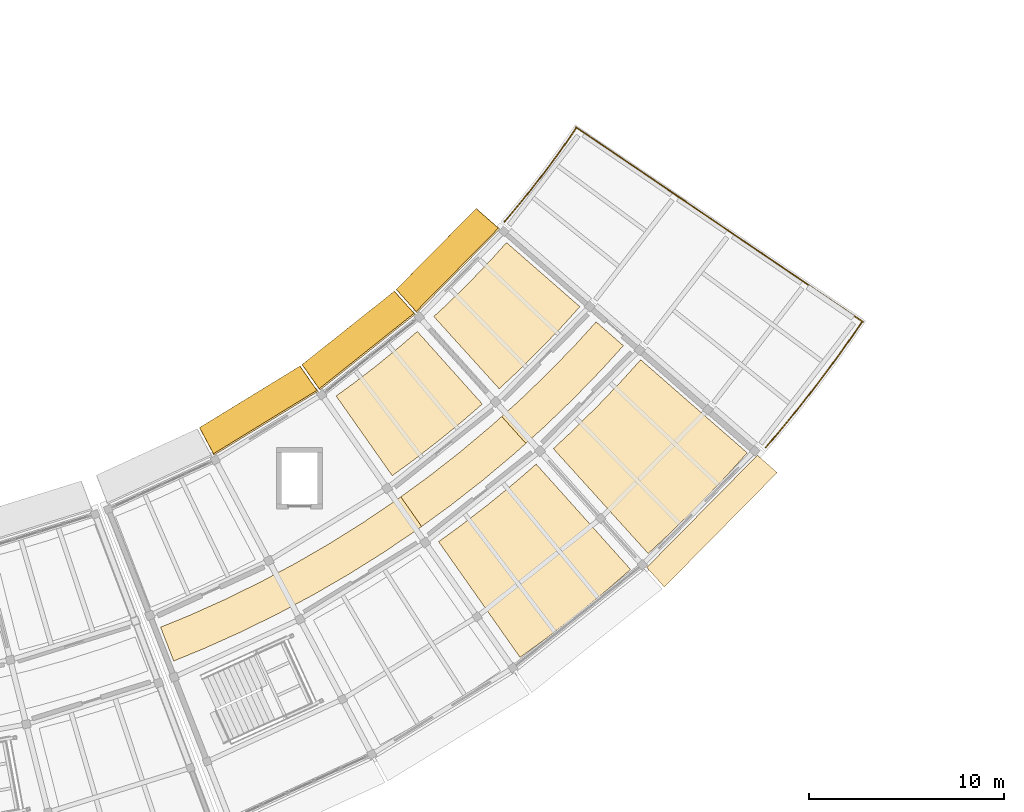
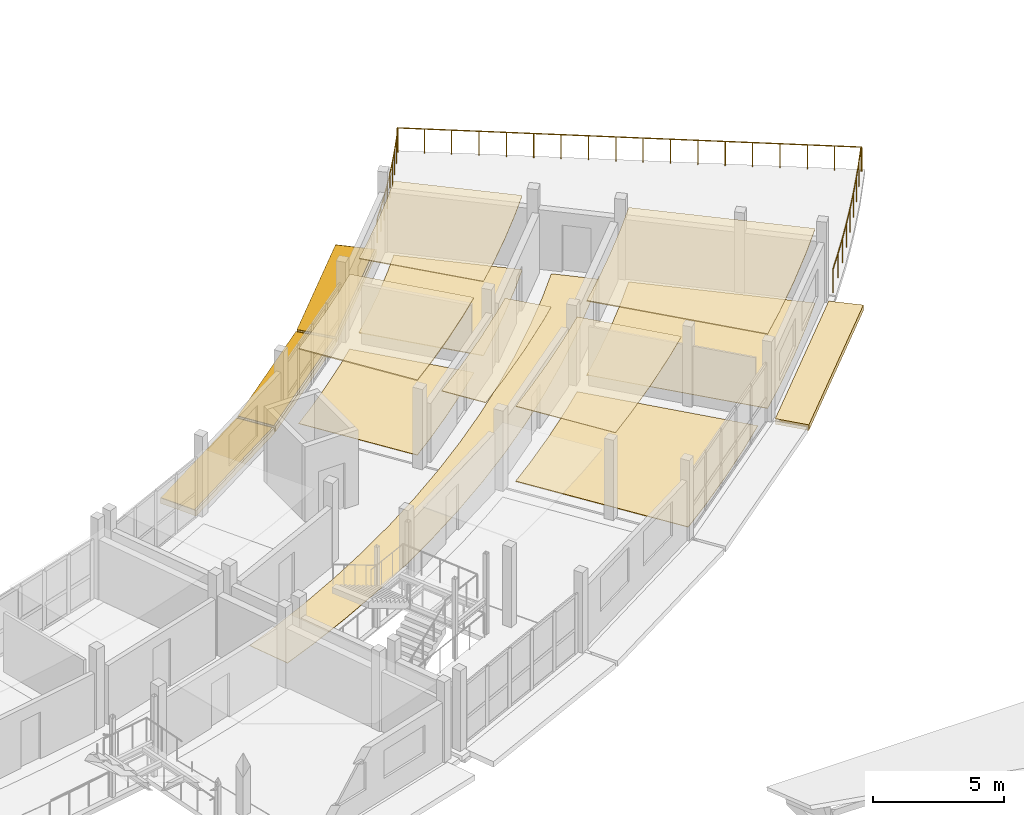
# One storey, part 66 of 66: 14 coverings, 3 railings, 3 shading devices.
"""IFC4 building model written with IfcOpenShell, lengths in metres."""

import ifcopenshell
import ifcopenshell.guid

model = None  # the IFC model being written
_history = None  # IfcOwnerHistory: only IFC2X3 demands one
_inside = {}  # id of a spatial element -> (the spatial element, [elements in it])
_under = {}  # id of a project, library or spatial element -> (it, [spatial elements below it])
_declared = {}  # id of a project -> (the project, [libraries it declares])
_typed = {}  # id of a type object -> (the type object, [elements of that type])
_made_of = {}  # id of a material, layer set ... -> (it, [elements and type objects made of it])


def new_model(schema):
    """Start an empty IFC model of exactly this schema.

    Asked for "IFC4X3", IfcOpenShell would pick the latest addendum, in which some entities
    have other attributes; the version numbers below select the first issue.
    IFC2X3 requires an IfcOwnerHistory on every rooted entity: one is made here for all.
    """
    global model, _history
    if schema == "IFC4X3":
        model = ifcopenshell.file(schema_version=(4, 3, 0, 0))
    else:
        model = ifcopenshell.file(schema=schema)
    _inside.clear()
    _under.clear()
    _declared.clear()
    _typed.clear()
    _made_of.clear()
    _history = None
    if model.schema == "IFC2X3":
        org = make("IfcOrganization", Name="unknown")
        user = make(
            "IfcPersonAndOrganization",
            ThePerson=make("IfcPerson", FamilyName="unknown"),
            TheOrganization=org,
        )
        app = make(
            "IfcApplication",
            ApplicationDeveloper=org,
            Version="unknown",
            ApplicationFullName="unknown",
            ApplicationIdentifier="unknown",
        )
        _history = make(
            "IfcOwnerHistory",
            OwningUser=user,
            OwningApplication=app,
            ChangeAction="ADDED",
            CreationDate=0,
        )
    return model


def make(cls, **values):
    """One entity of the class cls with the attributes given. An attribute that is None is left unset."""
    return model.create_entity(
        cls, **{name: value for name, value in values.items() if value is not None}
    )


def rooted(cls, **values):
    """An entity with a GlobalId (a new one), such as an element, a storey or a relation."""
    return make(cls, GlobalId=ifcopenshell.guid.new(), OwnerHistory=_history, **values)


def si_unit(unit_type, name, prefix=None):
    """IfcSIUnit, for example si_unit("LENGTHUNIT", "METRE", prefix="MILLI")."""
    return make("IfcSIUnit", UnitType=unit_type, Prefix=prefix, Name=name)


def assignment(units):
    """IfcUnitAssignment: the units of a project."""
    return None if units is None else make("IfcUnitAssignment", Units=units)


def point(xyz):
    """IfcCartesianPoint."""
    return None if xyz is None else make("IfcCartesianPoint", Coordinates=xyz)


def direction(xyz):
    """IfcDirection."""
    return None if xyz is None else make("IfcDirection", DirectionRatios=xyz)


def frame(location, z_axis=None, x_axis=None):
    """IfcAxis2Placement3D, a coordinate frame: its origin and axes. An axis left out is left unset."""
    return make(
        "IfcAxis2Placement3D",
        Location=point(location),
        Axis=direction(z_axis),
        RefDirection=direction(x_axis),
    )


def frame_2d(location, x_axis=None):
    """IfcAxis2Placement2D, a coordinate frame in the plane: its origin and x axis."""
    return make(
        "IfcAxis2Placement2D", Location=point(location), RefDirection=direction(x_axis)
    )


def origin():
    """The frame at (0, 0, 0) with its axes left unset."""
    return frame((0.0, 0.0, 0.0))


def origin_2d():
    """The frame at (0, 0) in the plane with its x axis left unset."""
    return frame_2d((0.0, 0.0))


def place(relative_to, where):
    """IfcLocalPlacement: puts the frame where relative to a parent placement (None: the world)."""
    return make(
        "IfcLocalPlacement", PlacementRelTo=relative_to, RelativePlacement=where
    )


def context(
    kind, dimensions, precision=None, world=None, true_north=None, identifier=None
):
    """IfcGeometricRepresentationContext, for example the 3D "Model" context."""
    return make(
        "IfcGeometricRepresentationContext",
        ContextIdentifier=identifier,
        ContextType=kind,
        CoordinateSpaceDimension=dimensions,
        Precision=precision,
        WorldCoordinateSystem=world,
        TrueNorth=true_north,
    )


def subcontext(parent, identifier, kind, view, scale=None):
    """IfcGeometricRepresentationSubContext, for example "Body" below "Model"."""
    return make(
        "IfcGeometricRepresentationSubContext",
        ContextIdentifier=identifier,
        ContextType=kind,
        ParentContext=parent,
        TargetScale=scale,
        TargetView=view,
    )


def project(units=None, contexts=None):
    """IfcProject with its units and contexts."""
    return rooted(
        "IfcProject",
        Name="project",
        RepresentationContexts=contexts,
        UnitsInContext=assignment(units),
    )


def spatial(cls, under=None, at=None, **own):
    """A site, building, storey or space (cls), placed at a placement, below another one or the project."""
    s = rooted(cls, ObjectPlacement=at, **own)
    if under is not None:
        _under.setdefault(under.id(), (under, []))[1].append(s)
    return s


def polyline(points):
    """IfcPolyline through the points."""
    return make("IfcPolyline", Points=[point(p) for p in points])


def profile(cls, at=None, kind="AREA", **sizes):
    """A parametric profile (cls). Its sizes go by their IFC names, for example OverallWidth=200.0."""
    return make(cls, ProfileType=kind, Position=at, **sizes)


def circle(**sizes):
    """IfcCircleProfileDef."""
    return profile("IfcCircleProfileDef", **sizes)


def outline(outer, holes=None, kind="AREA"):
    """IfcArbitraryClosedProfileDef: a profile drawn as a closed curve; with holes, ...WithVoids."""
    if holes is None:
        return make("IfcArbitraryClosedProfileDef", ProfileType=kind, OuterCurve=outer)
    return make(
        "IfcArbitraryProfileDefWithVoids",
        ProfileType=kind,
        OuterCurve=outer,
        InnerCurves=holes,
    )


def extrude(swept, where, along, depth):
    """IfcExtrudedAreaSolid: the profile swept, set in the frame where, extruded along a direction by depth."""
    return make(
        "IfcExtrudedAreaSolid",
        SweptArea=swept,
        Position=where,
        ExtrudedDirection=direction(along),
        Depth=depth,
    )


def shape(context_of_items, identifier, shape_type, items):
    """IfcShapeRepresentation: the items that make up one representation, for example the "Body"."""
    return make(
        "IfcShapeRepresentation",
        ContextOfItems=context_of_items,
        RepresentationIdentifier=identifier,
        RepresentationType=shape_type,
        Items=items,
    )


def material(Name=None, Category=None):
    """IfcMaterial."""
    return make("IfcMaterial", Name=Name, Category=Category)


def layer(
    of_material, thickness, ventilated=None, Name=None, Category=None, Priority=None
):
    """IfcMaterialLayer: one layer of a wall or slab, of a material (None: an air gap)."""
    return make(
        "IfcMaterialLayer",
        Material=of_material,
        LayerThickness=thickness,
        IsVentilated=ventilated,
        Name=Name,
        Category=Category,
        Priority=Priority,
    )


def layer_set(layers, Name=None):
    """IfcMaterialLayerSet."""
    return make("IfcMaterialLayerSet", MaterialLayers=layers, LayerSetName=Name)


def made_of(thing, what):
    """Note that an element or type object is made of a material, layer set ...; save() writes the relation."""
    if what is not None:
        _made_of.setdefault(what.id(), (what, []))[1].append(thing)
    return thing


def type_object(cls, material=None, **own):
    """A type object (cls), such as IfcWallType, which elements share."""
    return made_of(rooted(cls, **own), material)


def element(
    cls,
    number,
    at=None,
    inside=None,
    cuts=None,
    type_object=None,
    material=None,
    context=None,
    identifier="Body",
    shape_type=None,
    held_by="IfcProductDefinitionShape",
    body=None,
    shapes=None,
    **own,
):
    """One element of the class cls, such as IfcWall. Its Tag is "e" and its number.

    at: its placement. inside: the storey or other place that contains it. cuts: it is an
    opening in that element (IfcRelVoidsElement). A single representation is given by context,
    identifier, shape_type and body (its items); several are given by shapes. held_by: the class
    of the entity that holds the representations. save() writes the other relations.
    """
    e = rooted(cls, Tag="e%d" % number, ObjectPlacement=at, **own)
    if body is not None:
        shapes = [shape(context, identifier, shape_type, body)]
    if shapes is not None:
        e.Representation = make(held_by, Representations=shapes)
    if inside is not None:
        _inside.setdefault(inside.id(), (inside, []))[1].append(e)
    if cuts is not None:
        rooted(
            "IfcRelVoidsElement", RelatingBuildingElement=cuts, RelatedOpeningElement=e
        )
    if type_object is not None:
        _typed.setdefault(type_object.id(), (type_object, []))[1].append(e)
    return made_of(e, material)


def aggregate(whole, parts):
    """IfcRelAggregates: a whole, such as a stair, and the parts it consists of."""
    return rooted("IfcRelAggregates", RelatingObject=whole, RelatedObjects=parts)


def save(model, path):
    """Write the relations noted so far, then the file.

    IfcRelAggregates (storeys below a building ...), IfcRelContainedInSpatialStructure (elements
    in a storey), IfcRelDefinesByType, IfcRelAssociatesMaterial and IfcRelDeclares: one each for
    every whole, place, type object, material and project.
    """
    for whole, parts in _under.values():
        aggregate(whole, parts)
    for where, things in _inside.values():
        rooted(
            "IfcRelContainedInSpatialStructure",
            RelatedElements=things,
            RelatingStructure=where,
        )
    for kind, things in _typed.values():
        rooted("IfcRelDefinesByType", RelatedObjects=things, RelatingType=kind)
    for what, things in _made_of.values():
        rooted("IfcRelAssociatesMaterial", RelatedObjects=things, RelatingMaterial=what)
    for by, libraries in _declared.values():
        rooted("IfcRelDeclares", RelatingContext=by, RelatedDefinitions=libraries)
    model.write(path)


model = new_model("IFC4")

# Units and contexts
model_context = context("Model", 3, precision=1e-05, world=origin(), true_north=direction((0.0, 1.0)))
body_context = subcontext(model_context, "Body", "Model", "MODEL_VIEW")
ifc_project = project(units=[si_unit("LENGTHUNIT", "METRE"), si_unit("AREAUNIT", "SQUARE_METRE"), si_unit("VOLUMEUNIT", "CUBIC_METRE"), si_unit("PLANEANGLEUNIT", "RADIAN"), si_unit("MASSUNIT", "GRAM", prefix="KILO")], contexts=[model_context])

# Site, building, storey
site_placement = place(None, origin())
site = spatial("IfcSite", under=ifc_project, at=site_placement, CompositionType="ELEMENT")
building_placement = place(site_placement, origin())
building = spatial("IfcBuilding", under=site, at=building_placement, Name="Caldaven Crescent School", CompositionType="ELEMENT")
storey_placement = place(building_placement, frame((0.0, 0.0, 8.159912109375)))
storey = spatial("IfcBuildingStorey", under=building, at=storey_placement, Name="L02", CompositionType="ELEMENT", Elevation=8.159912109375)

# Coverings
ifc_material_1 = material(Name="White architectural GFRC precast concrete C35/45 cladding", Category="concrete")
ifc_layer_1 = layer(ifc_material_1, 0.260009765625)
ifc_layer_set_1 = layer_set([ifc_layer_1], Name="White architectural GFRC precast concrete C35/45 cladding")
covering_type_1 = type_object("IfcCoveringType", Name="COV-CLD2", PredefinedType="CLADDING", material=ifc_layer_set_1)
covering_1_placement = place(storey_placement, frame((0.0, 0.0, -0.260009765625)))
element("IfcCovering", 1, at=covering_1_placement, inside=storey, type_object=covering_type_1, Name="CLD-IN-L02-055", PredefinedType="CLADDING", context=body_context, shape_type="SweptSolid", body=[
    extrude(outline(polyline([(111.802001953125, 51.34765625), (116.9794921875, 54.5205078125), (117.89599609375, 53.208984375), (112.5546875, 49.935791015625), (111.802001953125, 51.34765625)])), origin(), (0.0, 0.0, 1.0), 0.260009765625),
])
covering_2_placement = place(storey_placement, frame((0.0, 0.0, -0.260009765625)))
element("IfcCovering", 2, at=covering_2_placement, inside=storey, type_object=covering_type_1, Name="CLD-IN-L02-057", PredefinedType="CLADDING", context=body_context, shape_type="SweptSolid", body=[
    extrude(outline(polyline([(117.06640625, 54.581298828125), (121.818603515625, 58.361328125), (122.887939453125, 57.17138671875), (117.9853515625, 53.271728515625), (117.06640625, 54.581298828125)])), origin(), (0.0, 0.0, 1.0), 0.260009765625),
])
covering_3_placement = place(storey_placement, frame((0.0, 0.0, -0.260009765625)))
element("IfcCovering", 3, at=covering_3_placement, inside=storey, type_object=covering_type_1, Name="CLD-IN-L02-059", PredefinedType="CLADDING", context=body_context, shape_type="SweptSolid", body=[
    extrude(outline(polyline([(121.8974609375, 58.432373046875), (126.01708984375, 62.607421875), (127.218994140625, 61.551513671875), (122.96923828125, 57.244384765625), (121.8974609375, 58.432373046875)])), origin(), (0.0, 0.0, 1.0), 0.260009765625),
])
covering_4_placement = place(storey_placement, frame((0.0, 0.0, -0.260009765625)))
element("IfcCovering", 4, at=covering_4_placement, inside=storey, type_object=covering_type_1, Name="CLD-OUT-L02-060", PredefinedType="CLADDING", context=body_context, shape_type="SweptSolid", body=[
    extrude(outline(polyline([(134.759521484375, 44.177490234375), (140.4423828125, 49.9365234375), (141.456787109375, 49.045654296875), (135.6640625, 43.175048828125), (134.759521484375, 44.177490234375)])), origin(), (0.0, 0.0, 1.0), 0.260009765625),
])
ifc_material_2 = material(Name="Perforated Pino Radiata acoustic timber baffle ceiling", Category="wood")
ifc_layer_2 = layer(ifc_material_2, 0.030029296875)
ifc_layer_set_2 = layer_set([ifc_layer_2], Name="Perforated Pino Radiata acoustic timber baffle ceiling")
covering_type_2 = type_object("IfcCoveringType", Name="COV-CLG1", PredefinedType="CEILING", material=ifc_layer_set_2)
covering_5_placement = place(storey_placement, frame((0.0, 0.0, 3.489990234375)))
element("IfcCovering", 5, at=covering_5_placement, inside=storey, type_object=covering_type_2, Name="CLG-L02-156", PredefinedType="CEILING", context=body_context, shape_type="SweptSolid", body=[
    extrude(outline(polyline([(123.5478515625, 48.82373046875), (123.560302734375, 48.8330078125), (125.1494140625, 50.07421875), (125.161376953125, 50.083984375), (126.706787109375, 51.37890625), (126.718505859375, 51.388916015625), (127.3193359375, 51.9287109375), (128.563232421875, 50.54638671875), (127.931640625, 49.97900390625), (126.3251953125, 48.633056640625), (124.673583984375, 47.343017578125), (123.211181640625, 46.27978515625), (122.142578125, 47.802001953125), (123.5478515625, 48.82373046875)])), origin(), (0.0, 0.0, 1.0), 0.030029296875),
])
covering_6_placement = place(storey_placement, frame((0.0, 0.0, 3.489990234375)))
element("IfcCovering", 6, at=covering_6_placement, inside=storey, type_object=covering_type_2, Name="CLG-L02-160", PredefinedType="CEILING", context=body_context, shape_type="SweptSolid", body=[
    extrude(outline(polyline([(125.189697265625, 46.304931640625), (125.2001953125, 46.312744140625), (126.63427734375, 47.41943359375), (126.644775390625, 47.427734375), (128.04541015625, 48.575927734375), (128.0556640625, 48.58447265625), (129.08740234375, 49.482421875), (131.889892578125, 46.355712890625), (130.82177734375, 45.423095703125), (129.27734375, 44.1552734375), (127.695556640625, 42.934326171875), (126.499267578125, 42.067138671875), (124.082763671875, 45.50146484375), (125.189697265625, 46.304931640625)])), origin(), (0.0, 0.0, 1.0), 0.030029296875),
])
ifc_layer_3 = layer(ifc_material_2, 0.0380859375)
ifc_layer_set_3 = layer_set([ifc_layer_3], Name="Perforated Pino Radiata acoustic timber baffle ceiling")
covering_type_3 = type_object("IfcCoveringType", Name="COV-CLG2", PredefinedType="CEILING", material=ifc_layer_set_3)
covering_7_placement = place(storey_placement, frame((0.0, 0.0, 3.4521484375)))
element("IfcCovering", 7, at=covering_7_placement, inside=storey, type_object=covering_type_3, Name="CLG-L02-161", PredefinedType="CEILING", context=body_context, shape_type="SweptSolid", body=[
    extrude(outline(polyline([(124.640869140625, 57.802734375), (124.650390625, 57.81201171875), (125.747802734375, 58.896240234375), (125.757080078125, 58.905517578125), (126.822021484375, 60.021484375), (126.830810546875, 60.03125), (127.56591796875, 60.8486328125), (131.331787109375, 57.559814453125), (130.494140625, 56.62841796875), (129.318603515625, 55.396240234375), (128.107421875, 54.199462890625), (127.190673828125, 53.345458984375), (123.836669921875, 57.053466796875), (124.640869140625, 57.802734375)])), origin(), (0.0, 0.0, 1.0), 0.037841796875),
])
ifc_layer_4 = layer(ifc_material_2, 0.0458984375)
ifc_layer_set_4 = layer_set([ifc_layer_4], Name="Perforated Pino Radiata acoustic timber baffle ceiling")
covering_type_4 = type_object("IfcCoveringType", Name="COV-CLG3", PredefinedType="CEILING", material=ifc_layer_set_4)
covering_8_placement = place(storey_placement, frame((0.0, 0.0, 3.444091796875)))
element("IfcCovering", 8, at=covering_8_placement, inside=storey, type_object=covering_type_4, Name="CLG-L02-162", PredefinedType="CEILING", context=body_context, shape_type="SweptSolid", body=[
    extrude(outline(polyline([(130.96875, 51.20751953125), (130.978515625, 51.216796875), (132.266845703125, 52.489990234375), (132.276123046875, 52.499267578125), (133.526611328125, 53.809814453125), (133.535400390625, 53.8193359375), (134.4501953125, 54.83642578125), (139.91845703125, 50.060791015625), (138.8564453125, 48.88037109375), (137.44970703125, 47.406005859375), (136.0, 45.973388671875), (134.838134765625, 44.89111328125), (129.968017578125, 50.275146484375), (130.96875, 51.20751953125)])), origin(), (0.0, 0.0, 1.0), 0.0458984375),
])
ifc_layer_5 = layer(ifc_material_2, 0.053955078125)
ifc_layer_set_5 = layer_set([ifc_layer_5], Name="Perforated Pino Radiata acoustic timber baffle ceiling")
covering_type_5 = type_object("IfcCoveringType", Name="COV-CLG4", PredefinedType="CEILING", material=ifc_layer_set_5)
covering_9_placement = place(storey_placement, frame((0.0, 0.0, 3.466064453125)))
element("IfcCovering", 9, at=covering_9_placement, inside=storey, type_object=covering_type_5, Name="CLG-L02-159", PredefinedType="CEILING", context=body_context, shape_type="SweptSolid", body=[
    extrude(outline(polyline([(119.712646484375, 53.6220703125), (119.72314453125, 53.6298828125), (120.944580078125, 54.572509765625), (120.954833984375, 54.580810546875), (122.14794921875, 55.55859375), (122.157958984375, 55.567138671875), (122.9873046875, 56.288818359375), (126.32421875, 52.5654296875), (125.379150390625, 51.742919921875), (124.062255859375, 50.66357421875), (122.714111328125, 49.623291015625), (121.7001953125, 48.88720703125), (118.822998046875, 52.976318359375), (119.712646484375, 53.6220703125)])), origin(), (0.0, 0.0, 1.0), 0.053955078125),
])
ifc_material_3 = material(Name="Polished terrazzo and acoustic linoleum flooring")
ifc_layer_6 = layer(ifc_material_3, 0.02001953125)
ifc_layer_set_6 = layer_set([ifc_layer_6], Name="Polished terrazzo and acoustic linoleum flooring")
covering_type_6 = type_object("IfcCoveringType", Name="COV-FLR1", PredefinedType="FLOORING", material=ifc_layer_set_6)
covering_10_placement = place(storey_placement, origin())
element("IfcCovering", 10, at=covering_10_placement, inside=storey, type_object=covering_type_6, Name="FLR-L02-156", PredefinedType="FLOORING", context=body_context, shape_type="SweptSolid", body=[
    extrude(outline(polyline([(109.81591796875, 41.112548828125), (111.272705078125, 41.7080078125), (111.287109375, 41.714111328125), (113.126220703125, 42.540283203125), (113.14013671875, 42.546875), (114.94970703125, 43.43603515625), (114.963623046875, 43.443115234375), (116.741455078125, 44.39404296875), (116.7548828125, 44.401611328125), (118.499267578125, 45.412841796875), (118.5126953125, 45.4208984375), (120.220947265625, 46.49169921875), (120.23388671875, 46.500244140625), (121.904541015625, 47.629150390625), (121.917236328125, 47.637939453125), (123.5478515625, 48.82373046875), (123.560302734375, 48.8330078125), (125.1494140625, 50.07421875), (125.161376953125, 50.083984375), (126.706787109375, 51.37890625), (126.718505859375, 51.388916015625), (128.218505859375, 52.736328125), (128.229736328125, 52.7470703125), (129.6826171875, 54.145263671875), (129.693359375, 54.156005859375), (131.09716796875, 55.603515625), (131.10791015625, 55.61474609375), (132.1640625, 56.781494140625), (133.564208984375, 55.55712890625), (132.459716796875, 54.337158203125), (131.000732421875, 52.8330078125), (129.490478515625, 51.379638671875), (127.931640625, 49.97900390625), (126.3251953125, 48.633056640625), (124.673583984375, 47.343017578125), (122.978515625, 46.110595703125), (121.2421875, 44.937255859375), (119.466552734375, 43.82421875), (117.653564453125, 42.77294921875), (115.805419921875, 41.78466796875), (113.924560546875, 40.8603515625), (112.012939453125, 40.00146484375), (110.489501953125, 39.37890625), (109.81591796875, 41.112548828125)])), origin(), (0.0, 0.0, 1.0), 0.02001953125),
])
covering_11_placement = place(storey_placement, origin())
element("IfcCovering", 11, at=covering_11_placement, inside=storey, type_object=covering_type_6, Name="FLR-L02-159", PredefinedType="FLOORING", context=body_context, shape_type="SweptSolid", body=[
    extrude(outline(polyline([(118.822998046875, 52.976318359375), (119.712646484375, 53.6220703125), (119.72314453125, 53.6298828125), (120.944580078125, 54.572509765625), (120.954833984375, 54.580810546875), (122.14794921875, 55.55859375), (122.157958984375, 55.567138671875), (122.9873046875, 56.288818359375), (126.32421875, 52.5654296875), (125.379150390625, 51.742919921875), (124.062255859375, 50.66357421875), (122.714111328125, 49.623291015625), (121.7001953125, 48.88720703125), (118.822998046875, 52.976318359375)])), origin(), (0.0, 0.0, 1.0), 0.02001953125),
])
covering_12_placement = place(storey_placement, origin())
element("IfcCovering", 12, at=covering_12_placement, inside=storey, type_object=covering_type_6, Name="FLR-L02-162", PredefinedType="FLOORING", context=body_context, shape_type="SweptSolid", body=[
    extrude(outline(polyline([(129.968017578125, 50.275146484375), (130.96875, 51.20751953125), (130.978515625, 51.216796875), (132.266845703125, 52.489990234375), (132.276123046875, 52.499267578125), (133.526611328125, 53.809814453125), (133.535400390625, 53.8193359375), (134.4501953125, 54.83642578125), (139.91845703125, 50.060791015625), (138.8564453125, 48.88037109375), (137.44970703125, 47.406005859375), (136.0, 45.973388671875), (134.838134765625, 44.89111328125), (129.968017578125, 50.275146484375)])), origin(), (0.0, 0.0, 1.0), 0.02001953125),
])
ifc_layer_7 = layer(ifc_material_3, 0.02587890625)
ifc_layer_set_7 = layer_set([ifc_layer_7], Name="Polished terrazzo and acoustic linoleum flooring")
covering_type_7 = type_object("IfcCoveringType", Name="COV-FLR2", PredefinedType="FLOORING", material=ifc_layer_set_7)
covering_13_placement = place(storey_placement, origin())
element("IfcCovering", 13, at=covering_13_placement, inside=storey, type_object=covering_type_7, Name="FLR-L02-160", PredefinedType="FLOORING", context=body_context, shape_type="SweptSolid", body=[
    extrude(outline(polyline([(124.082763671875, 45.50146484375), (125.189697265625, 46.304931640625), (125.2001953125, 46.312744140625), (126.63427734375, 47.41943359375), (126.644775390625, 47.427734375), (128.04541015625, 48.575927734375), (128.0556640625, 48.58447265625), (129.08740234375, 49.482421875), (133.932861328125, 44.075927734375), (132.735107421875, 43.03369140625), (131.158935546875, 41.74169921875), (129.54541015625, 40.496826171875), (128.260498046875, 39.56396484375), (124.082763671875, 45.50146484375)])), origin(), (0.0, 0.0, 1.0), 0.026123046875),
])
ifc_layer_8 = layer(ifc_material_3, 0.031982421875)
ifc_layer_set_8 = layer_set([ifc_layer_8], Name="Polished terrazzo and acoustic linoleum flooring")
covering_type_8 = type_object("IfcCoveringType", Name="COV-FLR3", PredefinedType="FLOORING", material=ifc_layer_set_8)
covering_14_placement = place(storey_placement, origin())
element("IfcCovering", 14, at=covering_14_placement, inside=storey, type_object=covering_type_8, Name="FLR-L02-161", PredefinedType="FLOORING", context=body_context, shape_type="SweptSolid", body=[
    extrude(outline(polyline([(123.836669921875, 57.053466796875), (124.640869140625, 57.802734375), (124.650390625, 57.81201171875), (125.747802734375, 58.896240234375), (125.757080078125, 58.905517578125), (126.822021484375, 60.021484375), (126.830810546875, 60.03125), (127.56591796875, 60.8486328125), (131.331787109375, 57.559814453125), (130.494140625, 56.62841796875), (129.318603515625, 55.396240234375), (128.107421875, 54.199462890625), (127.190673828125, 53.345458984375), (123.836669921875, 57.053466796875)])), origin(), (0.0, 0.0, 1.0), 0.031982421875),
])

# Railings
ifc_material_4 = material(Name="Galvanised powder-coated steel balustrade ASTM A572 Grade 50", Category="steel")
railing_type = type_object("IfcRailingType", Name="RAL-EXT3", PredefinedType="BALUSTRADE", material=ifc_material_4)
railing_1_placement = place(storey_placement, frame((140.866455078125, 50.332275390625, 0.0)))
element("IfcRailing", 15, at=railing_1_placement, inside=storey, type_object=railing_type, Name="GD-PD-L02-E-OUT", PredefinedType="BALUSTRADE", context=body_context, shape_type="SweptSolid", body=[
    extrude(circle(Radius=0.02392578125, at=origin_2d()), frame((0.0, 0.0, 1.1259765625), z_axis=(0.648204311164, 0.761466460843, 0.0), x_axis=(-0.761466460843, 0.648204311164, 0.0)), (0.0, 0.0, 1.0), 1.01953125),
    extrude(circle(Radius=0.02392578125, at=origin_2d()), frame((0.660888671875, 0.7763671875, 1.1259765625), z_axis=(0.637141293888, 0.770747021806, 0.0), x_axis=(-0.770747021806, 0.637141293888, 0.0)), (0.0, 0.0, 1.0), 1.01953125),
    extrude(circle(Radius=0.02392578125, at=origin_2d()), frame((1.310546875, 1.562255859375, 1.1259765625), z_axis=(0.625658174155, 0.780097333102, 0.0), x_axis=(-0.780097333102, 0.625658174155, 0.0)), (0.0, 0.0, 1.0), 1.01953125),
    extrude(circle(Radius=0.02392578125, at=origin_2d()), frame((1.948486328125, 2.357666015625, 1.1259765625), z_axis=(0.614156083999, 0.789184582013, 0.0), x_axis=(-0.789184582013, 0.614156083999, 0.0)), (0.0, 0.0, 1.0), 1.01953125),
    extrude(circle(Radius=0.02392578125, at=origin_2d()), frame((2.57470703125, 3.162353515625, 1.1259765625), z_axis=(0.602640008806, 0.798013170183, 0.0), x_axis=(-0.798013170183, 0.602640008806, 0.0)), (0.0, 0.0, 1.0), 1.019775390625),
    extrude(circle(Radius=0.02392578125, at=origin_2d()), frame((3.189208984375, 3.97607421875, 1.1259765625), z_axis=(0.59080288291, 0.806815935356, 0.0), x_axis=(-0.806815935356, 0.59080288291, 0.0)), (0.0, 0.0, 1.0), 1.01953125),
    extrude(circle(Radius=0.02392578125, at=origin_2d()), frame((3.79150390625, 4.798583984375, 1.1259765625), z_axis=(0.579152702639, 0.815219079159, 0.0), x_axis=(-0.815219079159, 0.579152702639, 0.0)), (0.0, 0.0, 1.0), 1.019775390625),
    extrude(circle(Radius=0.02392578125, at=origin_2d()), frame((4.382080078125, 5.6298828125, 1.1259765625), z_axis=(0.567016514739, 0.823706423438, 0.0), x_axis=(-0.823706423438, 0.567016514739, 0.0)), (0.0, 0.0, 1.0), 1.01953125),
    extrude(circle(Radius=0.02099609375, at=origin_2d()), origin(), (0.0, 0.0, 1.0), 1.101806640625),
    extrude(circle(Radius=0.02099609375, at=origin_2d()), frame((0.660888671875, 0.7763671875, 0.0)), (0.0, 0.0, 1.0), 1.101806640625),
    extrude(circle(Radius=0.02099609375, at=origin_2d()), frame((1.310546875, 1.562255859375, 0.0)), (0.0, 0.0, 1.0), 1.101806640625),
    extrude(circle(Radius=0.02099609375, at=origin_2d()), frame((1.948486328125, 2.357666015625, 0.0)), (0.0, 0.0, 1.0), 1.101806640625),
    extrude(circle(Radius=0.02099609375, at=origin_2d()), frame((2.57470703125, 3.162353515625, 0.0)), (0.0, 0.0, 1.0), 1.101806640625),
    extrude(circle(Radius=0.02099609375, at=origin_2d()), frame((3.189208984375, 3.97607421875, 0.0)), (0.0, 0.0, 1.0), 1.101806640625),
    extrude(circle(Radius=0.02099609375, at=origin_2d()), frame((3.79150390625, 4.798583984375, 0.0)), (0.0, 0.0, 1.0), 1.101806640625),
    extrude(circle(Radius=0.02099609375, at=origin_2d()), frame((4.382080078125, 5.6298828125, 0.0)), (0.0, 0.0, 1.0), 1.101806640625),
    extrude(circle(Radius=0.02099609375, at=origin_2d()), frame((4.960205078125, 6.4697265625, 0.0)), (0.0, 0.0, 1.0), 1.101806640625),
])
railing_2_placement = place(storey_placement, frame((127.45703125, 61.915771484375, 0.0)))
element("IfcRailing", 16, at=railing_2_placement, inside=storey, type_object=railing_type, Name="GD-PD-L02-E-IN", PredefinedType="BALUSTRADE", context=body_context, shape_type="SweptSolid", body=[
    extrude(circle(Radius=0.02392578125, at=origin_2d()), frame((0.0, 0.0, 1.1259765625), z_axis=(0.648039454875, 0.761606765284, 0.0), x_axis=(-0.761606765284, 0.648039454875, 0.0)), (0.0, 0.0, 1.0), 0.760986328125),
    extrude(circle(Radius=0.02392578125, at=origin_2d()), frame((0.4931640625, 0.57958984375, 1.1259765625), z_axis=(0.636864864173, 0.770975450181, 0.0), x_axis=(-0.770975450181, 0.636864864173, 0.0)), (0.0, 0.0, 1.0), 0.760986328125),
    extrude(circle(Radius=0.02392578125, at=origin_2d()), frame((0.977783203125, 1.166259765625, 1.1259765625), z_axis=(0.625907125554, 0.779897602369, 0.0), x_axis=(-0.779897602369, 0.625907125554, 0.0)), (0.0, 0.0, 1.0), 0.760986328125),
    extrude(circle(Radius=0.02392578125, at=origin_2d()), frame((1.4541015625, 1.759765625, 1.1259765625), z_axis=(0.614073873751, 0.78924855247, 0.0), x_axis=(-0.78924855247, 0.614073873751, 0.0)), (0.0, 0.0, 1.0), 0.760986328125),
    extrude(circle(Radius=0.02392578125, at=origin_2d()), frame((1.92138671875, 2.3603515625, 1.1259765625), z_axis=(0.602665195478, 0.797994149201, 0.0), x_axis=(-0.797994149201, 0.602665195478, 0.0)), (0.0, 0.0, 1.0), 0.76123046875),
    extrude(circle(Radius=0.02392578125, at=origin_2d()), frame((2.380126953125, 2.9677734375, 1.1259765625), z_axis=(0.590820927185, 0.80680272186, 0.0), x_axis=(-0.80680272186, 0.590820927185, 0.0)), (0.0, 0.0, 1.0), 0.7607421875),
    extrude(circle(Radius=0.02392578125, at=origin_2d()), frame((2.82958984375, 3.58154296875, 1.1259765625), z_axis=(0.579111748083, 0.815248172787, 0.0), x_axis=(-0.815248172787, 0.579111748083, 0.0)), (0.0, 0.0, 1.0), 0.760986328125),
    extrude(circle(Radius=0.02392578125, at=origin_2d()), frame((3.270263671875, 4.201904296875, 1.1259765625), z_axis=(0.567073196201, 0.823667402627, 0.0), x_axis=(-0.823667402627, 0.567073196201, 0.0)), (0.0, 0.0, 1.0), 0.76123046875),
    extrude(circle(Radius=0.02099609375, at=origin_2d()), origin(), (0.0, 0.0, 1.0), 1.101806640625),
    extrude(circle(Radius=0.02099609375, at=origin_2d()), frame((0.4931640625, 0.57958984375, 0.0)), (0.0, 0.0, 1.0), 1.101806640625),
    extrude(circle(Radius=0.02099609375, at=origin_2d()), frame((0.977783203125, 1.166259765625, 0.0)), (0.0, 0.0, 1.0), 1.101806640625),
    extrude(circle(Radius=0.02099609375, at=origin_2d()), frame((1.4541015625, 1.759765625, 0.0)), (0.0, 0.0, 1.0), 1.101806640625),
    extrude(circle(Radius=0.02099609375, at=origin_2d()), frame((1.92138671875, 2.3603515625, 0.0)), (0.0, 0.0, 1.0), 1.101806640625),
    extrude(circle(Radius=0.02099609375, at=origin_2d()), frame((2.380126953125, 2.9677734375, 0.0)), (0.0, 0.0, 1.0), 1.101806640625),
    extrude(circle(Radius=0.02099609375, at=origin_2d()), frame((2.82958984375, 3.58154296875, 0.0)), (0.0, 0.0, 1.0), 1.101806640625),
    extrude(circle(Radius=0.02099609375, at=origin_2d()), frame((3.270263671875, 4.201904296875, 0.0)), (0.0, 0.0, 1.0), 1.101806640625),
    extrude(circle(Radius=0.02099609375, at=origin_2d()), frame((3.701904296875, 4.828857421875, 0.0)), (0.0, 0.0, 1.0), 1.101806640625),
])
railing_3_placement = place(storey_placement, frame((131.1259765625, 66.76708984375, 0.0)))
element("IfcRailing", 17, at=railing_3_placement, inside=storey, type_object=railing_type, Name="GD-PD-L02-E-END", PredefinedType="BALUSTRADE", context=body_context, shape_type="SweptSolid", body=[
    extrude(circle(Radius=0.02392578125, at=origin_2d()), frame((0.0, 0.0, 1.1259765625), z_axis=(0.827748339685, -0.561099533193, 0.0), x_axis=(0.561099533193, 0.827748339685, 0.0)), (0.0, 0.0, 1.0), 17.800048828125),
    extrude(circle(Radius=0.02099609375, at=origin_2d()), origin(), (0.0, 0.0, 1.0), 1.101806640625),
    extrude(circle(Radius=0.02099609375, at=origin_2d()), frame((0.86669921875, -0.58740234375, 0.0)), (0.0, 0.0, 1.0), 1.101806640625),
    extrude(circle(Radius=0.02099609375, at=origin_2d()), frame((1.7333984375, -1.175048828125, 0.0)), (0.0, 0.0, 1.0), 1.101806640625),
    extrude(circle(Radius=0.02099609375, at=origin_2d()), frame((2.60009765625, -1.762451171875, 0.0)), (0.0, 0.0, 1.0), 1.101806640625),
    extrude(circle(Radius=0.02099609375, at=origin_2d()), frame((3.466796875, -2.35009765625, 0.0)), (0.0, 0.0, 1.0), 1.101806640625),
    extrude(circle(Radius=0.02099609375, at=origin_2d()), frame((4.33349609375, -2.9375, 0.0)), (0.0, 0.0, 1.0), 1.101806640625),
    extrude(circle(Radius=0.02099609375, at=origin_2d()), frame((5.2001953125, -3.52490234375, 0.0)), (0.0, 0.0, 1.0), 1.101806640625),
    extrude(circle(Radius=0.02099609375, at=origin_2d()), frame((6.06689453125, -4.112548828125, 0.0)), (0.0, 0.0, 1.0), 1.101806640625),
    extrude(circle(Radius=0.02099609375, at=origin_2d()), frame((6.93359375, -4.699951171875, 0.0)), (0.0, 0.0, 1.0), 1.101806640625),
    extrude(circle(Radius=0.02099609375, at=origin_2d()), frame((7.80029296875, -5.28759765625, 0.0)), (0.0, 0.0, 1.0), 1.101806640625),
    extrude(circle(Radius=0.02099609375, at=origin_2d()), frame((8.6669921875, -5.875, 0.0)), (0.0, 0.0, 1.0), 1.101806640625),
    extrude(circle(Radius=0.02099609375, at=origin_2d()), frame((9.53369140625, -6.462646484375, 0.0)), (0.0, 0.0, 1.0), 1.101806640625),
    extrude(circle(Radius=0.02099609375, at=origin_2d()), frame((10.400390625, -7.050048828125, 0.0)), (0.0, 0.0, 1.0), 1.101806640625),
    extrude(circle(Radius=0.02099609375, at=origin_2d()), frame((11.26708984375, -7.637451171875, 0.0)), (0.0, 0.0, 1.0), 1.101806640625),
    extrude(circle(Radius=0.02099609375, at=origin_2d()), frame((12.1337890625, -8.22509765625, 0.0)), (0.0, 0.0, 1.0), 1.101806640625),
    extrude(circle(Radius=0.02099609375, at=origin_2d()), frame((13.00048828125, -8.8125, 0.0)), (0.0, 0.0, 1.0), 1.101806640625),
    extrude(circle(Radius=0.02099609375, at=origin_2d()), frame((13.8671875, -9.400146484375, 0.0)), (0.0, 0.0, 1.0), 1.101806640625),
    extrude(circle(Radius=0.02099609375, at=origin_2d()), frame((14.73388671875, -9.987548828125, 0.0)), (0.0, 0.0, 1.0), 1.101806640625),
])

# Shading devices
ifc_material_5 = material(Name="Precast concrete C35/45", Category="concrete")
ifc_layer_9 = layer(ifc_material_5, 0.1298828125)
ifc_layer_set_9 = layer_set([ifc_layer_9], Name="Precast concrete C35/45")
shading_device_type = type_object("IfcShadingDeviceType", Name="SHD-S02", PredefinedType="AWNING", material=ifc_layer_set_9)
shading_device_1_placement = place(storey_placement, frame((0.0, 0.0, -0.1298828125)))
element("IfcShadingDevice", 18, at=shading_device_1_placement, inside=storey, type_object=shading_device_type, Name="SHD-LDG-L02-040", PredefinedType="AWNING", context=body_context, shape_type="SweptSolid", body=[
    extrude(outline(polyline([(111.817626953125, 51.35595703125), (116.965087890625, 54.510498046875), (117.835205078125, 53.26416015625), (112.533203125, 50.014892578125), (111.817626953125, 51.35595703125)])), origin(), (0.0, 0.0, 1.0), 0.1298828125),
])
shading_device_2_placement = place(storey_placement, frame((0.0, 0.0, -0.1298828125)))
element("IfcShadingDevice", 19, at=shading_device_2_placement, inside=storey, type_object=shading_device_type, Name="SHD-LDG-L02-041", PredefinedType="AWNING", context=body_context, shape_type="SweptSolid", body=[
    extrude(outline(polyline([(117.080810546875, 54.591552734375), (121.805419921875, 58.349609375), (122.821044921875, 57.21875), (117.954345703125, 53.34765625), (117.080810546875, 54.591552734375)])), origin(), (0.0, 0.0, 1.0), 0.1298828125),
])
shading_device_3_placement = place(storey_placement, frame((0.0, 0.0, -0.1298828125)))
element("IfcShadingDevice", 20, at=shading_device_3_placement, inside=storey, type_object=shading_device_type, Name="SHD-LDG-L02-042", PredefinedType="AWNING", context=body_context, shape_type="SweptSolid", body=[
    extrude(outline(polyline([(121.910400390625, 58.444091796875), (126.00537109375, 62.593994140625), (127.14697265625, 61.590576171875), (122.92919921875, 57.31591796875), (121.910400390625, 58.444091796875)])), origin(), (0.0, 0.0, 1.0), 0.1298828125),
])

save(model, "model.ifc")
